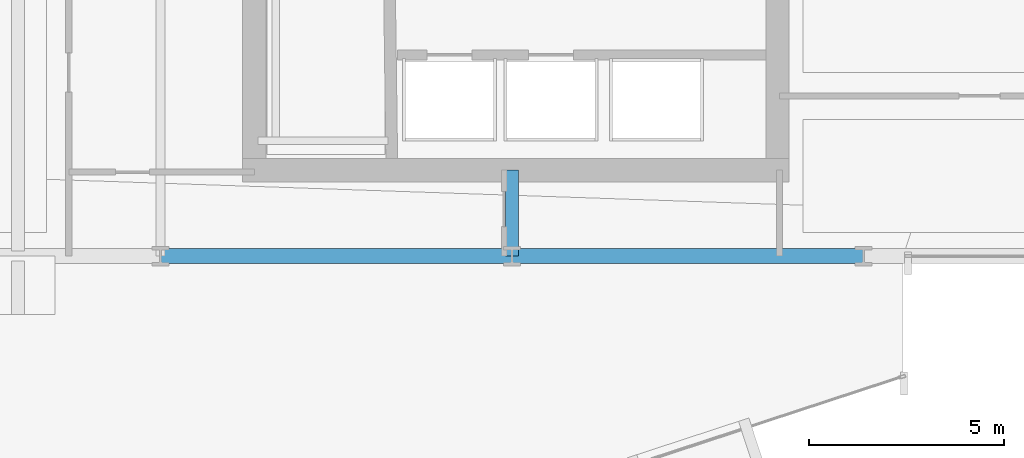
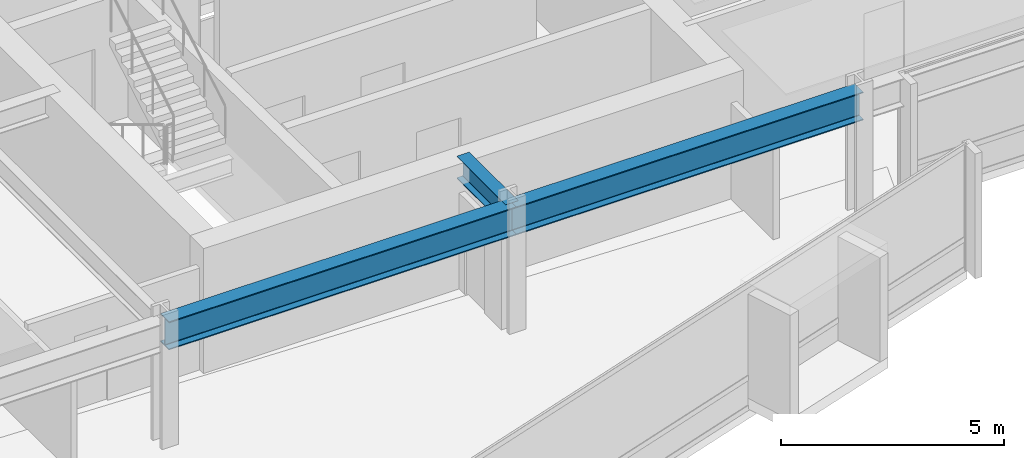
# One storey, part 11 of 34: 3 beams.
"""IFC4 building model written with IfcOpenShell, lengths in metres."""

from ifc_helpers import new_model, si_unit, direction, frame, origin, origin_2d, place, context, subcontext, project, spatial, i_section, extrude, material, material_profile, profile_set, type_object, element, save


model = new_model("IFC4")

# Units and contexts
model_context = context("Model", 3, precision=1e-05, world=origin(), true_north=direction((0.0, 1.0)))
body_context = subcontext(model_context, "Body", "Model", "MODEL_VIEW")
ifc_project = project(units=[si_unit("LENGTHUNIT", "METRE"), si_unit("AREAUNIT", "SQUARE_METRE"), si_unit("VOLUMEUNIT", "CUBIC_METRE"), si_unit("PLANEANGLEUNIT", "RADIAN"), si_unit("MASSUNIT", "GRAM", prefix="KILO")], contexts=[model_context])

# Site, building, storey
site_placement = place(None, origin())
site = spatial("IfcSite", under=ifc_project, at=site_placement, CompositionType="ELEMENT")
building_placement = place(site_placement, origin())
building = spatial("IfcBuilding", under=site, at=building_placement, Name="Solvaryn Broadcast Tower", CompositionType="ELEMENT")
storey_placement = place(building_placement, frame((0.0, 0.0, 47.10009765625)))
storey = spatial("IfcBuildingStorey", under=building, at=storey_placement, Name="L10", CompositionType="ELEMENT", Elevation=47.10009765625)

# Beams
ifc_material_1 = material(Name="Steel ASTM A992 Grade 50", Category="steel")
ifc_material_profile_1 = material_profile(ifc_material_1, i_section(OverallWidth=0.323974609375, OverallDepth=0.611083984375, WebThickness=0.0126953125, FlangeThickness=0.01904296875, FilletRadius=0.014892578125, at=origin_2d()))
ifc_profile_set_1 = profile_set([ifc_material_profile_1], Name="Steel ASTM A992 Grade 50")
beam_type_1 = type_object("IfcBeamType", Name="BM-B1-W24X104", PredefinedType="BEAM", material=ifc_profile_set_1)
beam_placement = place(storey_placement, frame((36.0, 9.0, 3.114501953125), z_axis=(0.0, 1.0, 0.0), x_axis=(-1.0, 0.0, 0.0)))
element("IfcBeam", 1, at=beam_placement, inside=storey, type_object=beam_type_1, Name="L10 Core Tie Beam CTE1", PredefinedType="BEAM", context=body_context, shape_type="SweptSolid", body=[
    extrude(i_section(OverallWidth=0.323974609375, OverallDepth=0.611083984375, WebThickness=0.0126953125, FlangeThickness=0.01904296875, FilletRadius=0.014892578125, at=origin_2d()), origin(), (0.0, 0.0, 1.0), 2.199951171875),
])
ifc_material_2 = material(Name="Steel ASTM A992 Grade 50", Category="steel")
ifc_material_profile_2 = material_profile(ifc_material_2, i_section(OverallWidth=0.381103515625, OverallDepth=0.77294921875, WebThickness=0.0166015625, FlangeThickness=0.027099609375, FilletRadius=0.01806640625, at=origin_2d()))
ifc_profile_set_2 = profile_set([ifc_material_profile_2], Name="Steel ASTM A992 Grade 50")
beam_type_2 = type_object("IfcBeamType", Name="BM-SP1-W30X173", PredefinedType="USERDEFINED", material=ifc_profile_set_2)
for number, where, z_axis, x_axis, name in (
    (2, (27.0, 9.0, 3.033447265625), (1.0, 0.0, 0.0), (0.0, 1.0, 0.0), "L10 Spandrel Beam X (27-36 @ Y=9)"),
    (3, (36.0, 9.0, 3.033447265625), (1.0, 0.0, 0.0), (0.0, 1.0, 0.0), "L10 Spandrel Beam X (36-45 @ Y=9)"),
):
    element("IfcBeam", number, at=place(storey_placement, frame(where, z_axis=z_axis, x_axis=x_axis)), inside=storey, type_object=beam_type_2, Name=name, ObjectType="SPANDREL", PredefinedType="USERDEFINED", context=body_context, shape_type="SweptSolid", body=[
        extrude(i_section(OverallWidth=0.381103515625, OverallDepth=0.77294921875, WebThickness=0.0166015625, FlangeThickness=0.027099609375, FilletRadius=0.01806640625, at=origin_2d()), origin(), (0.0, 0.0, 1.0), 9.0),
    ])

save(model, "model.ifc")
